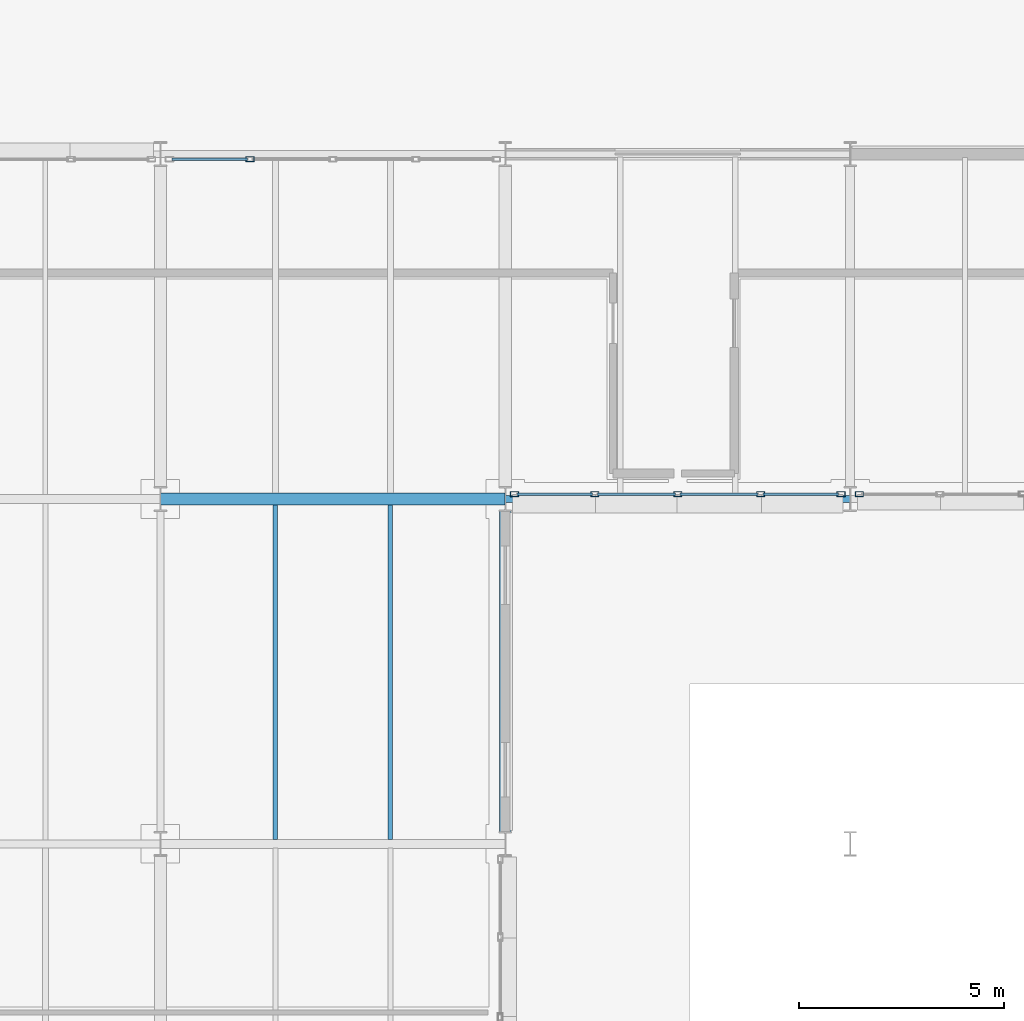
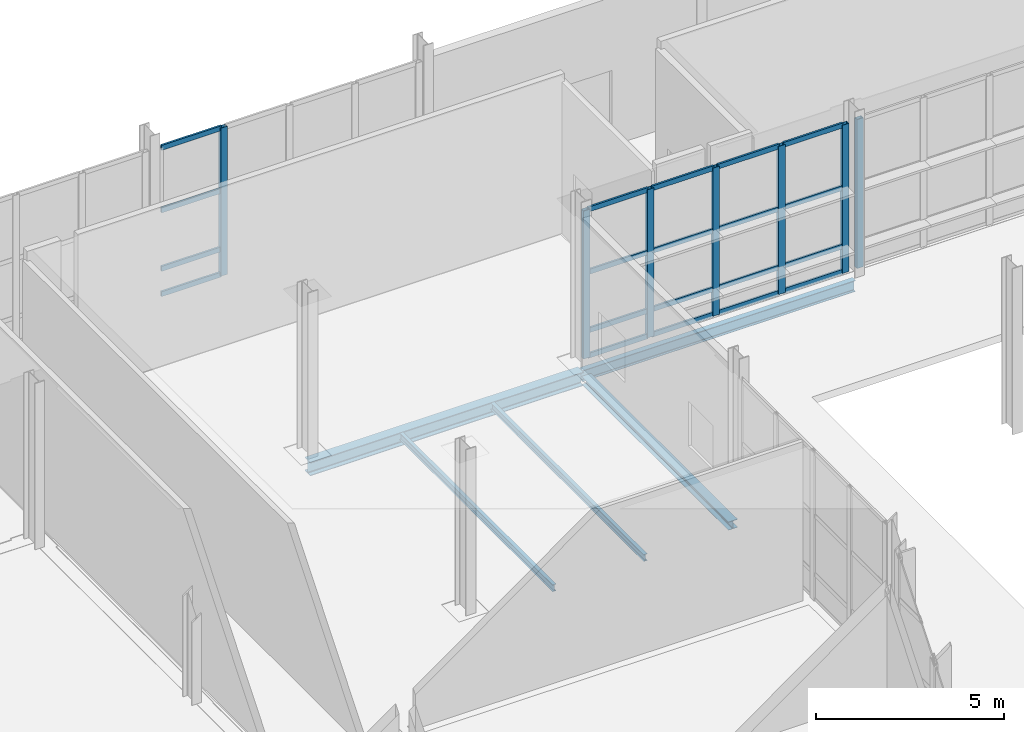
# One storey, part 44 of 124: 27 members, 5 beams, 3 elements without a shape of their own.
"""IFC4 building model written with IfcOpenShell, lengths in metres."""

from ifc_helpers import new_model, si_unit, direction, frame, origin, origin_2d, place, context, subcontext, project, spatial, hollow_rectangle, i_section, extrude, material, material_profile, profile_set, type_object, element, aggregate, save


model = new_model("IFC4")

# Units and contexts
model_context = context("Model", 3, precision=1e-05, world=origin(), true_north=direction((0.0, 1.0)))
body_context = subcontext(model_context, "Body", "Model", "MODEL_VIEW")
ifc_project = project(units=[si_unit("LENGTHUNIT", "METRE"), si_unit("AREAUNIT", "SQUARE_METRE"), si_unit("VOLUMEUNIT", "CUBIC_METRE"), si_unit("PLANEANGLEUNIT", "RADIAN"), si_unit("MASSUNIT", "GRAM", prefix="KILO")], contexts=[model_context])

# Site, building, storey
site_placement = place(None, origin())
site = spatial("IfcSite", under=ifc_project, at=site_placement, CompositionType="ELEMENT")
building_placement = place(site_placement, origin())
building = spatial("IfcBuilding", under=site, at=building_placement, Name="Mersafa Astral City Hall", CompositionType="ELEMENT")
storey_placement = place(building_placement, origin())
storey = spatial("IfcBuildingStorey", under=building, at=storey_placement, Name="L00", CompositionType="ELEMENT", Elevation=0.0)

# Curtain wall, members
ifc_material_1 = material(Name="Anodised bronze aluminium framing", Category="aluminium")
curtain_wall_type_1 = type_object("IfcCurtainWallType", Name="ENV-CW-3", PredefinedType="USERDEFINED", material=ifc_material_1)
curtain_wall_1_placement = place(storey_placement, origin())
curtain_wall_1 = element("IfcCurtainWall", 1, at=curtain_wall_1_placement, inside=storey, type_object=curtain_wall_type_1, Name="L00 Unitised solar curtain wall 14", ObjectType="UNITISED CURTAIN WALL", PredefinedType="USERDEFINED")
ifc_material_profile_1 = material_profile(ifc_material_1, hollow_rectangle(XDim=0.1201171875, YDim=0.199951171875, WallThickness=0.008056640625, at=origin_2d()), Name="RHS 120x200x8")
ifc_profile_set_1 = profile_set([ifc_material_profile_1], Name="Anodised bronze aluminium framing")
member_type_1 = type_object("IfcMemberType", Name="ENV-CW-MUL-2", PredefinedType="MULLION", material=ifc_profile_set_1)
member_1_placement = place(storey_placement, frame((117.822021484375, 117.719970703125, -0.001953125), z_axis=(0.0, 0.0, 1.0), x_axis=(0.0, 1.0, 0.0)))
member_1 = element("IfcMember", 2, at=member_1_placement, type_object=member_type_1, Name="CW-3 mullion 1", PredefinedType="MULLION", context=body_context, shape_type="SweptSolid", body=[
    extrude(hollow_rectangle(XDim=0.1201171875, YDim=0.199951171875, WallThickness=0.008056640625, at=origin_2d()), origin(), (0.0, 0.0, 1.0), 4.81396484375),
])
member_2_placement = place(storey_placement, frame((119.781005859375, 117.719970703125, -0.001953125), z_axis=(0.0, 0.0, 1.0), x_axis=(0.0, 1.0, 0.0)))
member_2 = element("IfcMember", 3, at=member_2_placement, type_object=member_type_1, Name="CW-3 mullion 2", PredefinedType="MULLION", context=body_context, shape_type="SweptSolid", body=[
    extrude(hollow_rectangle(XDim=0.1201171875, YDim=0.199951171875, WallThickness=0.008056640625, at=origin_2d()), origin(), (0.0, 0.0, 1.0), 4.81396484375),
])
member_3_placement = place(storey_placement, frame((121.800048828125, 117.719970703125, -0.001953125), z_axis=(0.0, 0.0, 1.0), x_axis=(0.0, 1.0, 0.0)))
member_3 = element("IfcMember", 4, at=member_3_placement, type_object=member_type_1, Name="CW-3 mullion 3", PredefinedType="MULLION", context=body_context, shape_type="SweptSolid", body=[
    extrude(hollow_rectangle(XDim=0.1201171875, YDim=0.199951171875, WallThickness=0.008056640625, at=origin_2d()), origin(), (0.0, 0.0, 1.0), 4.81396484375),
])
member_4_placement = place(storey_placement, frame((123.819091796875, 117.719970703125, -0.001953125), z_axis=(0.0, 0.0, 1.0), x_axis=(0.0, 1.0, 0.0)))
member_4 = element("IfcMember", 5, at=member_4_placement, type_object=member_type_1, Name="CW-3 mullion 4", PredefinedType="MULLION", context=body_context, shape_type="SweptSolid", body=[
    extrude(hollow_rectangle(XDim=0.1201171875, YDim=0.199951171875, WallThickness=0.008056640625, at=origin_2d()), origin(), (0.0, 0.0, 1.0), 4.81396484375),
])
member_5_placement = place(storey_placement, frame((125.778076171875, 117.719970703125, -0.001953125), z_axis=(0.0, 0.0, 1.0), x_axis=(0.0, 1.0, 0.0)))
member_5 = element("IfcMember", 6, at=member_5_placement, type_object=member_type_1, Name="CW-3 mullion 5", PredefinedType="MULLION", context=body_context, shape_type="SweptSolid", body=[
    extrude(hollow_rectangle(XDim=0.1201171875, YDim=0.199951171875, WallThickness=0.008056640625, at=origin_2d()), origin(), (0.0, 0.0, 1.0), 4.81396484375),
])

# Curtain wall, member
curtain_wall_type_2 = type_object("IfcCurtainWallType", Name="ENV-CW-4", PredefinedType="USERDEFINED", material=ifc_material_1)
curtain_wall_2_placement = place(storey_placement, origin())
curtain_wall_2 = element("IfcCurtainWall", 7, at=curtain_wall_2_placement, inside=storey, type_object=curtain_wall_type_2, Name="L00 Unitised solar curtain wall 15", ObjectType="UNITISED CURTAIN WALL", PredefinedType="USERDEFINED")
member_6_placement = place(storey_placement, frame((126.221923828125, 117.719970703125, -0.001953125), z_axis=(0.0, 0.0, 1.0), x_axis=(0.0, 1.0, 0.0)))
member_6 = element("IfcMember", 8, at=member_6_placement, type_object=member_type_1, Name="CW-4 mullion 1", PredefinedType="MULLION", context=body_context, shape_type="SweptSolid", body=[
    extrude(hollow_rectangle(XDim=0.1201171875, YDim=0.199951171875, WallThickness=0.008056640625, at=origin_2d()), origin(), (0.0, 0.0, 1.0), 4.843994140625),
])
aggregate(curtain_wall_2, [member_6])

curtain_wall_3_placement = place(storey_placement, origin())
curtain_wall_3 = element("IfcCurtainWall", 9, at=curtain_wall_3_placement, inside=storey, type_object=curtain_wall_type_1, Name="L00 Unitised solar curtain wall 32", ObjectType="UNITISED CURTAIN WALL", PredefinedType="USERDEFINED")
member_7_placement = place(storey_placement, frame((111.381103515625, 125.8798828125, -0.001953125), z_axis=(0.0, 0.0, 1.0), x_axis=(0.0, -1.0, 0.0)))
member_7 = element("IfcMember", 10, at=member_7_placement, type_object=member_type_1, Name="CW-3 mullion 4", PredefinedType="MULLION", context=body_context, shape_type="SweptSolid", body=[
    extrude(hollow_rectangle(XDim=0.1201171875, YDim=0.199951171875, WallThickness=0.008056640625, at=origin_2d()), origin(), (0.0, 0.0, 1.0), 4.81396484375),
])

# Member
ifc_material_profile_2 = material_profile(ifc_material_1, hollow_rectangle(XDim=0.06005859375, YDim=0.159912109375, WallThickness=0.00390625, at=origin_2d()), Name="RHS 60x160x4")
ifc_profile_set_2 = profile_set([ifc_material_profile_2], Name="Anodised bronze aluminium framing")
member_type_2 = type_object("IfcMemberType", Name="ENV-CW-TRN-2", PredefinedType="USERDEFINED", material=ifc_profile_set_2)
member_8_placement = place(storey_placement, frame((117.882080078125, 117.719970703125, 0.028076171875), z_axis=(1.0, 0.0, 0.0), x_axis=(0.0, 1.0, 0.0)))
member_8 = element("IfcMember", 11, at=member_8_placement, type_object=member_type_2, Name="CW-3 transom 1.1", ObjectType="TRANSOM", PredefinedType="USERDEFINED", context=body_context, shape_type="SweptSolid", body=[
    extrude(hollow_rectangle(XDim=0.06005859375, YDim=0.159912109375, WallThickness=0.00390625, at=origin_2d()), origin(), (0.0, 0.0, 1.0), 1.8388671875),
])

member_9_placement = place(storey_placement, frame((117.882080078125, 117.719970703125, 0.85009765625), z_axis=(1.0, 0.0, 0.0), x_axis=(0.0, 1.0, 0.0)))
member_9 = element("IfcMember", 12, at=member_9_placement, type_object=member_type_2, Name="CW-3 transom 1.2", ObjectType="TRANSOM", PredefinedType="USERDEFINED", context=body_context, shape_type="SweptSolid", body=[
    extrude(hollow_rectangle(XDim=0.06005859375, YDim=0.159912109375, WallThickness=0.00390625, at=origin_2d()), origin(), (0.0, 0.0, 1.0), 1.8388671875),
])

member_10_placement = place(storey_placement, frame((117.882080078125, 117.719970703125, 2.75), z_axis=(1.0, 0.0, 0.0), x_axis=(0.0, 1.0, 0.0)))
member_10 = element("IfcMember", 13, at=member_10_placement, type_object=member_type_2, Name="CW-3 transom 1.3", ObjectType="TRANSOM", PredefinedType="USERDEFINED", context=body_context, shape_type="SweptSolid", body=[
    extrude(hollow_rectangle(XDim=0.06005859375, YDim=0.159912109375, WallThickness=0.00390625, at=origin_2d()), origin(), (0.0, 0.0, 1.0), 1.8388671875),
])

member_11_placement = place(storey_placement, frame((117.882080078125, 117.719970703125, 4.781982421875), z_axis=(1.0, 0.0, 0.0), x_axis=(0.0, 1.0, 0.0)))
member_11 = element("IfcMember", 14, at=member_11_placement, type_object=member_type_2, Name="CW-3 transom 1.4", ObjectType="TRANSOM", PredefinedType="USERDEFINED", context=body_context, shape_type="SweptSolid", body=[
    extrude(hollow_rectangle(XDim=0.06005859375, YDim=0.159912109375, WallThickness=0.00390625, at=origin_2d()), origin(), (0.0, 0.0, 1.0), 1.8388671875),
])

member_12_placement = place(storey_placement, frame((119.841064453125, 117.719970703125, 0.028076171875), z_axis=(1.0, 0.0, 0.0), x_axis=(0.0, 1.0, 0.0)))
member_12 = element("IfcMember", 15, at=member_12_placement, type_object=member_type_2, Name="CW-3 transom 2.1", ObjectType="TRANSOM", PredefinedType="USERDEFINED", context=body_context, shape_type="SweptSolid", body=[
    extrude(hollow_rectangle(XDim=0.06005859375, YDim=0.159912109375, WallThickness=0.00390625, at=origin_2d()), origin(), (0.0, 0.0, 1.0), 1.89892578125),
])

member_13_placement = place(storey_placement, frame((119.841064453125, 117.719970703125, 0.85009765625), z_axis=(1.0, 0.0, 0.0), x_axis=(0.0, 1.0, 0.0)))
member_13 = element("IfcMember", 16, at=member_13_placement, type_object=member_type_2, Name="CW-3 transom 2.2", ObjectType="TRANSOM", PredefinedType="USERDEFINED", context=body_context, shape_type="SweptSolid", body=[
    extrude(hollow_rectangle(XDim=0.06005859375, YDim=0.159912109375, WallThickness=0.00390625, at=origin_2d()), origin(), (0.0, 0.0, 1.0), 1.89892578125),
])

member_14_placement = place(storey_placement, frame((119.841064453125, 117.719970703125, 2.75), z_axis=(1.0, 0.0, 0.0), x_axis=(0.0, 1.0, 0.0)))
member_14 = element("IfcMember", 17, at=member_14_placement, type_object=member_type_2, Name="CW-3 transom 2.3", ObjectType="TRANSOM", PredefinedType="USERDEFINED", context=body_context, shape_type="SweptSolid", body=[
    extrude(hollow_rectangle(XDim=0.06005859375, YDim=0.159912109375, WallThickness=0.00390625, at=origin_2d()), origin(), (0.0, 0.0, 1.0), 1.89892578125),
])

member_15_placement = place(storey_placement, frame((119.841064453125, 117.719970703125, 4.781982421875), z_axis=(1.0, 0.0, 0.0), x_axis=(0.0, 1.0, 0.0)))
member_15 = element("IfcMember", 18, at=member_15_placement, type_object=member_type_2, Name="CW-3 transom 2.4", ObjectType="TRANSOM", PredefinedType="USERDEFINED", context=body_context, shape_type="SweptSolid", body=[
    extrude(hollow_rectangle(XDim=0.06005859375, YDim=0.159912109375, WallThickness=0.00390625, at=origin_2d()), origin(), (0.0, 0.0, 1.0), 1.89892578125),
])

member_16_placement = place(storey_placement, frame((121.860107421875, 117.719970703125, 0.028076171875), z_axis=(1.0, 0.0, 0.0), x_axis=(0.0, 1.0, 0.0)))
member_16 = element("IfcMember", 19, at=member_16_placement, type_object=member_type_2, Name="CW-3 transom 3.1", ObjectType="TRANSOM", PredefinedType="USERDEFINED", context=body_context, shape_type="SweptSolid", body=[
    extrude(hollow_rectangle(XDim=0.06005859375, YDim=0.159912109375, WallThickness=0.00390625, at=origin_2d()), origin(), (0.0, 0.0, 1.0), 1.89892578125),
])

member_17_placement = place(storey_placement, frame((121.860107421875, 117.719970703125, 0.85009765625), z_axis=(1.0, 0.0, 0.0), x_axis=(0.0, 1.0, 0.0)))
member_17 = element("IfcMember", 20, at=member_17_placement, type_object=member_type_2, Name="CW-3 transom 3.2", ObjectType="TRANSOM", PredefinedType="USERDEFINED", context=body_context, shape_type="SweptSolid", body=[
    extrude(hollow_rectangle(XDim=0.06005859375, YDim=0.159912109375, WallThickness=0.00390625, at=origin_2d()), origin(), (0.0, 0.0, 1.0), 1.89892578125),
])

member_18_placement = place(storey_placement, frame((121.860107421875, 117.719970703125, 2.75), z_axis=(1.0, 0.0, 0.0), x_axis=(0.0, 1.0, 0.0)))
member_18 = element("IfcMember", 21, at=member_18_placement, type_object=member_type_2, Name="CW-3 transom 3.3", ObjectType="TRANSOM", PredefinedType="USERDEFINED", context=body_context, shape_type="SweptSolid", body=[
    extrude(hollow_rectangle(XDim=0.06005859375, YDim=0.159912109375, WallThickness=0.00390625, at=origin_2d()), origin(), (0.0, 0.0, 1.0), 1.89892578125),
])

member_19_placement = place(storey_placement, frame((121.860107421875, 117.719970703125, 4.781982421875), z_axis=(1.0, 0.0, 0.0), x_axis=(0.0, 1.0, 0.0)))
member_19 = element("IfcMember", 22, at=member_19_placement, type_object=member_type_2, Name="CW-3 transom 3.4", ObjectType="TRANSOM", PredefinedType="USERDEFINED", context=body_context, shape_type="SweptSolid", body=[
    extrude(hollow_rectangle(XDim=0.06005859375, YDim=0.159912109375, WallThickness=0.00390625, at=origin_2d()), origin(), (0.0, 0.0, 1.0), 1.89892578125),
])

member_20_placement = place(storey_placement, frame((123.87890625, 117.719970703125, 0.028076171875), z_axis=(1.0, 0.0, 0.0), x_axis=(0.0, 1.0, 0.0)))
member_20 = element("IfcMember", 23, at=member_20_placement, type_object=member_type_2, Name="CW-3 transom 4.1", ObjectType="TRANSOM", PredefinedType="USERDEFINED", context=body_context, shape_type="SweptSolid", body=[
    extrude(hollow_rectangle(XDim=0.06005859375, YDim=0.159912109375, WallThickness=0.00390625, at=origin_2d()), origin(), (0.0, 0.0, 1.0), 1.839111328125),
])

member_21_placement = place(storey_placement, frame((123.87890625, 117.719970703125, 0.85009765625), z_axis=(1.0, 0.0, 0.0), x_axis=(0.0, 1.0, 0.0)))
member_21 = element("IfcMember", 24, at=member_21_placement, type_object=member_type_2, Name="CW-3 transom 4.2", ObjectType="TRANSOM", PredefinedType="USERDEFINED", context=body_context, shape_type="SweptSolid", body=[
    extrude(hollow_rectangle(XDim=0.06005859375, YDim=0.159912109375, WallThickness=0.00390625, at=origin_2d()), origin(), (0.0, 0.0, 1.0), 1.839111328125),
])

member_22_placement = place(storey_placement, frame((123.87890625, 117.719970703125, 2.75), z_axis=(1.0, 0.0, 0.0), x_axis=(0.0, 1.0, 0.0)))
member_22 = element("IfcMember", 25, at=member_22_placement, type_object=member_type_2, Name="CW-3 transom 4.3", ObjectType="TRANSOM", PredefinedType="USERDEFINED", context=body_context, shape_type="SweptSolid", body=[
    extrude(hollow_rectangle(XDim=0.06005859375, YDim=0.159912109375, WallThickness=0.00390625, at=origin_2d()), origin(), (0.0, 0.0, 1.0), 1.839111328125),
])

member_23_placement = place(storey_placement, frame((123.87890625, 117.719970703125, 4.781982421875), z_axis=(1.0, 0.0, 0.0), x_axis=(0.0, 1.0, 0.0)))
member_23 = element("IfcMember", 26, at=member_23_placement, type_object=member_type_2, Name="CW-3 transom 4.4", ObjectType="TRANSOM", PredefinedType="USERDEFINED", context=body_context, shape_type="SweptSolid", body=[
    extrude(hollow_rectangle(XDim=0.06005859375, YDim=0.159912109375, WallThickness=0.00390625, at=origin_2d()), origin(), (0.0, 0.0, 1.0), 1.839111328125),
])

aggregate(curtain_wall_1, [member_1, member_2, member_3, member_4, member_5, member_8, member_9, member_10, member_11, member_12, member_13, member_14, member_15, member_16, member_17, member_18, member_19, member_20, member_21, member_22, member_23])

member_24_placement = place(storey_placement, frame((111.321044921875, 125.8798828125, 0.028076171875), z_axis=(-1.0, 0.0, 0.0), x_axis=(0.0, -1.0, 0.0)))
member_24 = element("IfcMember", 27, at=member_24_placement, type_object=member_type_2, Name="CW-3 transom 4.1", ObjectType="TRANSOM", PredefinedType="USERDEFINED", context=body_context, shape_type="SweptSolid", body=[
    extrude(hollow_rectangle(XDim=0.06005859375, YDim=0.159912109375, WallThickness=0.00390625, at=origin_2d()), origin(), (0.0, 0.0, 1.0), 1.839111328125),
])

member_25_placement = place(storey_placement, frame((111.321044921875, 125.8798828125, 0.85009765625), z_axis=(-1.0, 0.0, 0.0), x_axis=(0.0, -1.0, 0.0)))
member_25 = element("IfcMember", 28, at=member_25_placement, type_object=member_type_2, Name="CW-3 transom 4.2", ObjectType="TRANSOM", PredefinedType="USERDEFINED", context=body_context, shape_type="SweptSolid", body=[
    extrude(hollow_rectangle(XDim=0.06005859375, YDim=0.159912109375, WallThickness=0.00390625, at=origin_2d()), origin(), (0.0, 0.0, 1.0), 1.839111328125),
])

member_26_placement = place(storey_placement, frame((111.321044921875, 125.8798828125, 2.75), z_axis=(-1.0, 0.0, 0.0), x_axis=(0.0, -1.0, 0.0)))
member_26 = element("IfcMember", 29, at=member_26_placement, type_object=member_type_2, Name="CW-3 transom 4.3", ObjectType="TRANSOM", PredefinedType="USERDEFINED", context=body_context, shape_type="SweptSolid", body=[
    extrude(hollow_rectangle(XDim=0.06005859375, YDim=0.159912109375, WallThickness=0.00390625, at=origin_2d()), origin(), (0.0, 0.0, 1.0), 1.839111328125),
])

member_27_placement = place(storey_placement, frame((111.321044921875, 125.8798828125, 4.781982421875), z_axis=(-1.0, 0.0, 0.0), x_axis=(0.0, -1.0, 0.0)))
member_27 = element("IfcMember", 30, at=member_27_placement, type_object=member_type_2, Name="CW-3 transom 4.4", ObjectType="TRANSOM", PredefinedType="USERDEFINED", context=body_context, shape_type="SweptSolid", body=[
    extrude(hollow_rectangle(XDim=0.06005859375, YDim=0.159912109375, WallThickness=0.00390625, at=origin_2d()), origin(), (0.0, 0.0, 1.0), 1.839111328125),
])

aggregate(curtain_wall_3, [member_7, member_24, member_25, member_26, member_27])

# Beams
ifc_material_2 = material(Name="Steel S355", Category="steel")
ifc_material_profile_3 = material_profile(ifc_material_2, i_section(OverallWidth=0.300048828125, OverallDepth=0.43994140625, WebThickness=0.011474609375, FlangeThickness=0.02099609375, FilletRadius=0.027099609375, at=origin_2d()), Name="HEA 450")
ifc_profile_set_3 = profile_set([ifc_material_profile_3], Name="Steel S355")
beam_type_1 = type_object("IfcBeamType", Name="STR-BM-HEA450", PredefinedType="BEAM", material=ifc_profile_set_3)
beam_1_placement = place(storey_placement, frame((109.202880859375, 117.60009765625, -0.469970703125), z_axis=(1.0, 0.0, 0.0), x_axis=(0.0, 1.0, 0.0)))
element("IfcBeam", 31, at=beam_1_placement, inside=storey, type_object=beam_type_1, Name="L00 Primary girder X 13-14", PredefinedType="BEAM", context=body_context, shape_type="SweptSolid", body=[
    extrude(i_section(OverallWidth=0.300048828125, OverallDepth=0.43994140625, WebThickness=0.011474609375, FlangeThickness=0.02099609375, FilletRadius=0.027099609375, at=origin_2d()), origin(), (0.0, 0.0, 1.0), 8.39404296875),
])
ifc_material_profile_4 = material_profile(ifc_material_2, i_section(OverallWidth=0.110107421875, OverallDepth=0.219970703125, WebThickness=0.005859375, FlangeThickness=0.00927734375, FilletRadius=0.011962890625, at=origin_2d()), Name="IPE 220")
ifc_profile_set_4 = profile_set([ifc_material_profile_4], Name="Steel S355")
beam_type_2 = type_object("IfcBeamType", Name="STR-BM-JOIST-IPE220", PredefinedType="JOIST", material=ifc_profile_set_4)
for number, where, z_axis, x_axis, name in (
    (32, (112.0, 109.304931640625, -0.360107421875), (0.0, 1.0, 0.0), (-1.0, 0.0, 0.0), "L00 Composite secondary floor joist 134"),
    (33, (114.800048828125, 109.304931640625, -0.360107421875), (0.0, 1.0, 0.0), (-1.0, 0.0, 0.0), "L00 Composite secondary floor joist 135"),
):
    element("IfcBeam", number, at=place(storey_placement, frame(where, z_axis=z_axis, x_axis=x_axis)), inside=storey, type_object=beam_type_2, Name=name, PredefinedType="JOIST", context=body_context, shape_type="SweptSolid", body=[
        extrude(i_section(OverallWidth=0.110107421875, OverallDepth=0.219970703125, WebThickness=0.005859375, FlangeThickness=0.00927734375, FilletRadius=0.011962890625, at=origin_2d()), origin(), (0.0, 0.0, 1.0), 8.150146484375),
    ])
ifc_material_profile_5 = material_profile(ifc_material_2, i_section(OverallWidth=0.280029296875, OverallDepth=0.27001953125, WebThickness=0.008056640625, FlangeThickness=0.012939453125, FilletRadius=0.02392578125, at=origin_2d()), Name="HEA 280")
ifc_profile_set_5 = profile_set([ifc_material_profile_5], Name="Steel S355")
beam_type_3 = type_object("IfcBeamType", Name="STR-BM-SPANDREL-HEA280", PredefinedType="SPANDREL", material=ifc_profile_set_5)
beam_2_placement = place(storey_placement, frame((117.60009765625, 109.4951171875, -0.385009765625), z_axis=(0.0, 1.0, 0.0), x_axis=(-1.0, 0.0, 0.0)))
element("IfcBeam", 34, at=beam_2_placement, inside=storey, type_object=beam_type_3, Name="L00 Primary girder Y 14-13", PredefinedType="SPANDREL", context=body_context, shape_type="SweptSolid", body=[
    extrude(i_section(OverallWidth=0.280029296875, OverallDepth=0.27001953125, WebThickness=0.008056640625, FlangeThickness=0.012939453125, FilletRadius=0.02392578125, at=origin_2d()), origin(), (0.0, 0.0, 1.0), 7.809814453125),
])
ifc_material_profile_6 = material_profile(ifc_material_2, i_section(OverallWidth=0.169921875, OverallDepth=0.360107421875, WebThickness=0.008056640625, FlangeThickness=0.0126953125, FilletRadius=0.01806640625, at=origin_2d()), Name="IPE 360")
ifc_profile_set_6 = profile_set([ifc_material_profile_6], Name="Steel S355")
beam_type_4 = type_object("IfcBeamType", Name="STR-BM-SPANDREL-IPE360", PredefinedType="SPANDREL", material=ifc_profile_set_6)
beam_3_placement = place(storey_placement, frame((117.60302734375, 117.60009765625, -0.429931640625), z_axis=(1.0, 0.0, 0.0), x_axis=(0.0, 1.0, 0.0)))
element("IfcBeam", 35, at=beam_3_placement, inside=storey, type_object=beam_type_4, Name="L00 Primary girder X 14-14", PredefinedType="SPANDREL", context=body_context, shape_type="SweptSolid", body=[
    extrude(i_section(OverallWidth=0.169921875, OverallDepth=0.360107421875, WebThickness=0.008056640625, FlangeThickness=0.0126953125, FilletRadius=0.01806640625, at=origin_2d()), origin(), (0.0, 0.0, 1.0), 8.39404296875),
])

save(model, "model.ifc")
